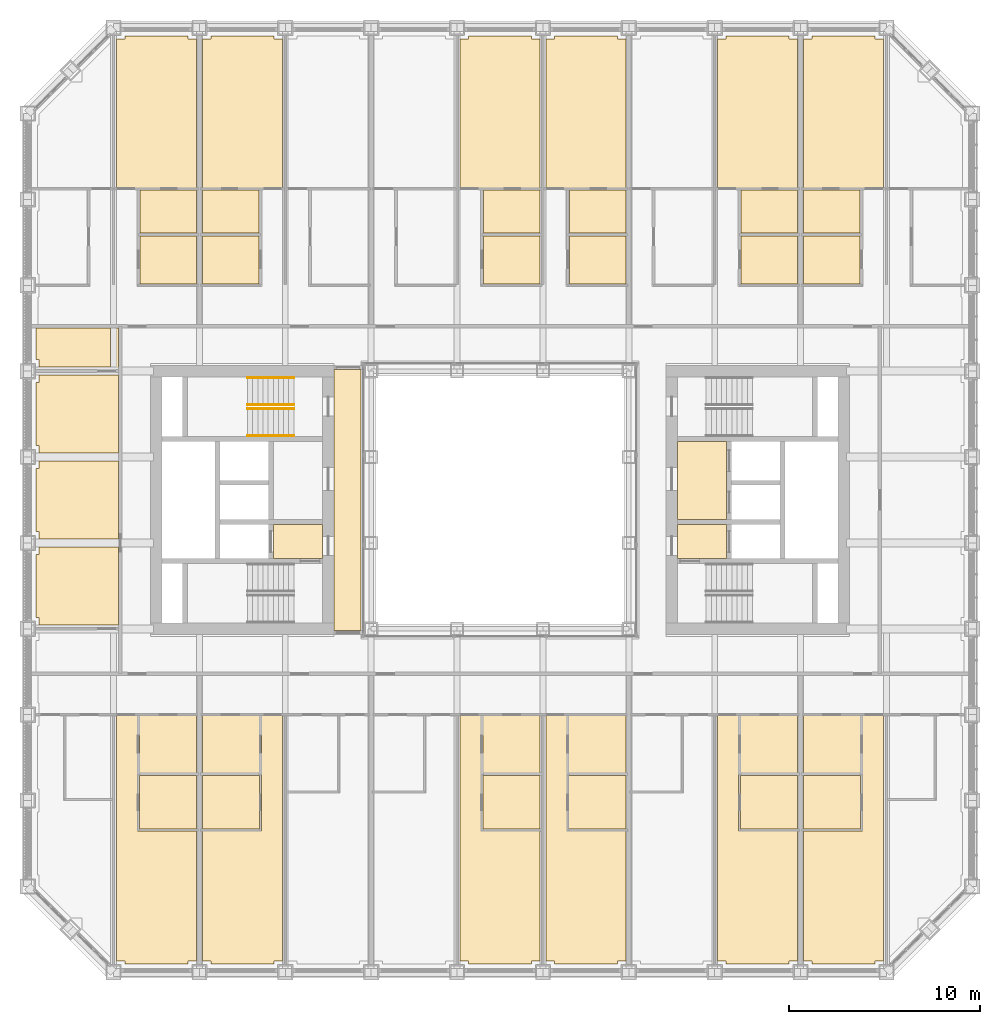
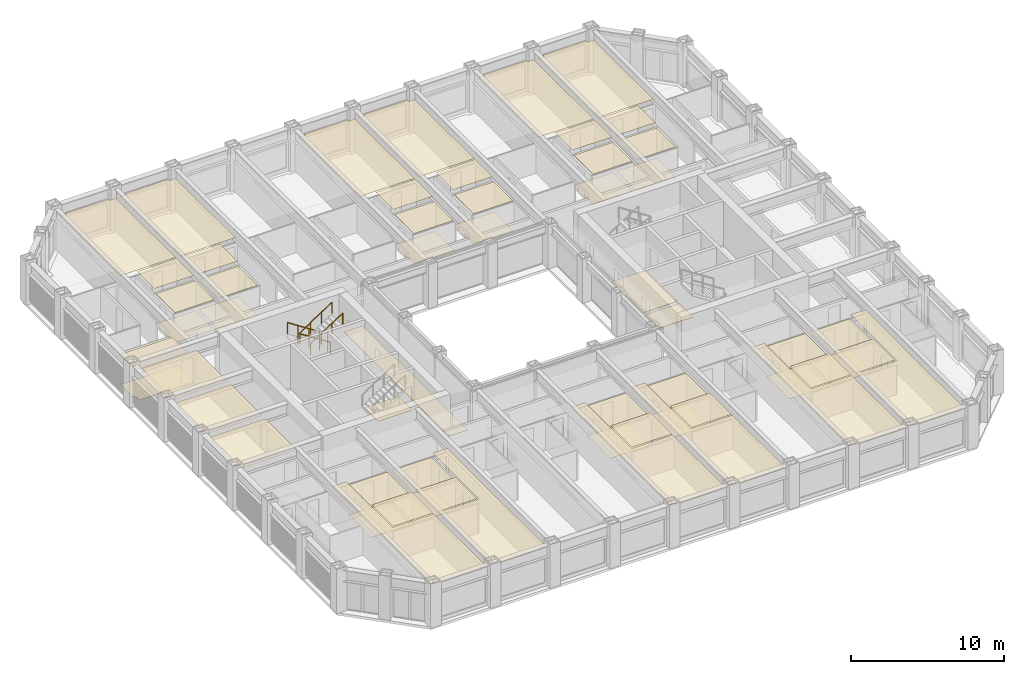
# One storey, part 18 of 21: 4 coverings, 4 railings.
"""IFC4 building model written with IfcOpenShell, lengths in metres."""

from ifc_helpers import new_model, si_unit, direction, frame, origin, origin_2d, place, context, subcontext, project, spatial, line, indexed_curve, circle, outline, extrude, material, layer, layer_set, type_object, element, save


model = new_model("IFC4")

# Units and contexts
model_context = context("Model", 3, precision=1e-05, world=origin(), true_north=direction((0.0, 1.0)))
body_context = subcontext(model_context, "Body", "Model", "MODEL_VIEW")
ifc_project = project(units=[si_unit("LENGTHUNIT", "METRE"), si_unit("AREAUNIT", "SQUARE_METRE"), si_unit("VOLUMEUNIT", "CUBIC_METRE"), si_unit("PLANEANGLEUNIT", "RADIAN"), si_unit("MASSUNIT", "GRAM", prefix="KILO")], contexts=[model_context])

# Site, building, storey
site_placement = place(None, origin())
site = spatial("IfcSite", under=ifc_project, at=site_placement, CompositionType="ELEMENT")
building_placement = place(site_placement, origin())
building = spatial("IfcBuilding", under=site, at=building_placement, Name="Msasa Ring Tower", CompositionType="ELEMENT")
storey_placement = place(building_placement, frame((0.0, 0.0, 54.5)))
storey = spatial("IfcBuildingStorey", under=building, at=storey_placement, Name="L13", CompositionType="ELEMENT", Elevation=54.5)

# Coverings
ifc_material_1 = material(Name="Gypsum plasterboard on a steel suspension grid", Category="steel")
ifc_layer_1 = layer(ifc_material_1, 0.014892578125)
ifc_layer_set_1 = layer_set([ifc_layer_1], Name="C1 SUSPENDED PLASTERBOARD CEILING 15")
covering_type_1 = type_object("IfcCoveringType", Name="C1 SUSPENDED PLASTERBOARD CEILING 15", PredefinedType="CEILING", material=ifc_layer_set_1)
covering_1_placement = place(storey_placement, frame((0.0, 0.0, 2.699951171875)))
element("IfcCovering", 1, at=covering_1_placement, inside=storey, type_object=covering_type_1, Name="Suspended Plasterboard Ceiling 15 L13", PredefinedType="CEILING", context=body_context, shape_type="SweptSolid", body=[
    extrude(outline(indexed_curve([(-20.00048828125, -6.539306640625), (-24.1494140625, -6.539306640625), (-24.1494140625, -6.1494140625), (-24.299560546875, -6.1494140625), (-24.299560546875, -2.8505859375), (-24.1494140625, -2.8505859375), (-24.1494140625, -2.460693359375), (-20.00048828125, -2.460693359375)], segments=[line(1, 2, 3, 4, 5, 6, 7, 8, 1)], self_intersect=False)), origin(), (0.0, 0.0, 1.0), 0.01513671875),
    extrude(outline(indexed_curve([(-20.00048828125, -2.039306640625), (-24.1494140625, -2.039306640625), (-24.1494140625, -1.6494140625), (-24.299560546875, -1.6494140625), (-24.299560546875, 1.6494140625), (-24.1494140625, 1.6494140625), (-24.1494140625, 2.039306640625), (-20.00048828125, 2.039306640625)], segments=[line(1, 2, 3, 4, 5, 6, 7, 8, 1)], self_intersect=False)), origin(), (0.0, 0.0, 1.0), 0.01513671875),
    extrude(outline(indexed_curve([(-20.00048828125, 2.460693359375), (-24.1494140625, 2.460693359375), (-24.1494140625, 2.8505859375), (-24.299560546875, 2.8505859375), (-24.299560546875, 6.1494140625), (-24.1494140625, 6.1494140625), (-24.1494140625, 6.539306640625), (-20.00048828125, 6.539306640625)], segments=[line(1, 2, 3, 4, 5, 6, 7, 8, 1)], self_intersect=False)), origin(), (0.0, 0.0, 1.0), 0.01513671875),
    extrude(outline(indexed_curve([(-19.6494140625, -24.299560546875), (-19.6494140625, -24.1494140625), (-20.095703125, -24.1494140625), (-20.095703125, -11.300537109375), (-19.00048828125, -11.300537109375), (-19.00048828125, -17.34130859375), (-15.904296875, -17.34130859375), (-15.904296875, -24.1494140625), (-16.3505859375, -24.1494140625), (-16.3505859375, -24.299560546875)], segments=[line(1, 2, 3, 4, 5, 6, 7, 8, 9, 10, 1)], self_intersect=False)), origin(), (0.0, 0.0, 1.0), 0.01513671875),
    extrude(outline(indexed_curve([(-20.095703125, 16.35546875), (-20.095703125, 24.1494140625), (-19.6494140625, 24.1494140625), (-19.6494140625, 24.299560546875), (-16.3505859375, 24.299560546875), (-16.3505859375, 24.1494140625), (-15.904296875, 24.1494140625), (-15.904296875, 16.35546875)], segments=[line(1, 2, 3, 4, 5, 6, 7, 8, 1)], self_intersect=False)), origin(), (0.0, 0.0, 1.0), 0.01513671875),
    extrude(outline(indexed_curve([(-15.904296875, -14.430419921875), (-15.904296875, -17.2353515625), (-18.8994140625, -17.2353515625), (-18.8994140625, -14.430419921875)], segments=[line(1, 2, 3, 4, 1)], self_intersect=False)), origin(), (0.0, 0.0, 1.0), 0.01513671875),
    extrude(outline(indexed_curve([(-15.904296875, 16.244384765625), (-15.904296875, 13.98046875), (-18.869384765625, 13.98046875), (-18.869384765625, 16.244384765625)], segments=[line(1, 2, 3, 4, 1)], self_intersect=False)), origin(), (0.0, 0.0, 1.0), 0.01513671875),
    extrude(outline(indexed_curve([(-15.1494140625, -24.299560546875), (-15.1494140625, -24.1494140625), (-15.595703125, -24.1494140625), (-15.595703125, -17.343994140625), (-12.49951171875, -17.343994140625), (-12.49951171875, -11.300537109375), (-11.404296875, -11.300537109375), (-11.404296875, -24.1494140625), (-11.8505859375, -24.1494140625), (-11.8505859375, -24.299560546875)], segments=[line(1, 2, 3, 4, 5, 6, 7, 8, 9, 10, 1)], self_intersect=False)), origin(), (0.0, 0.0, 1.0), 0.01513671875),
    extrude(outline(indexed_curve([(-12.6005859375, -14.430419921875), (-12.6005859375, -17.238037109375), (-15.595703125, -17.238037109375), (-15.595703125, -14.430419921875)], segments=[line(1, 2, 3, 4, 1)], self_intersect=False)), origin(), (0.0, 0.0, 1.0), 0.01513671875),
    extrude(outline(indexed_curve([(-12.630615234375, 16.244384765625), (-12.630615234375, 13.98046875), (-15.595703125, 13.98046875), (-15.595703125, 16.244384765625)], segments=[line(1, 2, 3, 4, 1)], self_intersect=False)), origin(), (0.0, 0.0, 1.0), 0.01513671875),
    extrude(outline(indexed_curve([(-11.8505859375, 24.299560546875), (-11.8505859375, 24.1494140625), (-11.404296875, 24.1494140625), (-11.404296875, 16.35546875), (-15.595703125, 16.35546875), (-15.595703125, 24.1494140625), (-15.1494140625, 24.1494140625), (-15.1494140625, 24.299560546875)], segments=[line(1, 2, 3, 4, 5, 6, 7, 8, 1)], self_intersect=False)), origin(), (0.0, 0.0, 1.0), 0.01513671875),
    extrude(outline(indexed_curve([(-1.00048828125, -11.300537109375), (-1.00048828125, -17.343994140625), (2.095703125, -17.343994140625), (2.095703125, -24.1494140625), (1.6494140625, -24.1494140625), (1.6494140625, -24.299560546875), (-1.6494140625, -24.299560546875), (-1.6494140625, -24.1494140625), (-2.095703125, -24.1494140625), (-2.095703125, -11.300537109375)], segments=[line(1, 2, 3, 4, 5, 6, 7, 8, 9, 10, 1)], self_intersect=False)), origin(), (0.0, 0.0, 1.0), 0.01513671875),
    extrude(outline(indexed_curve([(-2.095703125, 16.35546875), (-2.095703125, 24.1494140625), (-1.6494140625, 24.1494140625), (-1.6494140625, 24.299560546875), (1.6494140625, 24.299560546875), (1.6494140625, 24.1494140625), (2.095703125, 24.1494140625), (2.095703125, 16.35546875)], segments=[line(1, 2, 3, 4, 5, 6, 7, 8, 1)], self_intersect=False)), origin(), (0.0, 0.0, 1.0), 0.01513671875),
    extrude(outline(indexed_curve([(2.095703125, -14.430419921875), (2.095703125, -17.238037109375), (-0.8994140625, -17.238037109375), (-0.8994140625, -14.430419921875)], segments=[line(1, 2, 3, 4, 1)], self_intersect=False)), origin(), (0.0, 0.0, 1.0), 0.01513671875),
    extrude(outline(indexed_curve([(-0.869384765625, 16.244384765625), (2.095703125, 16.244384765625), (2.095703125, 13.98046875), (-0.869384765625, 13.98046875)], segments=[line(1, 2, 3, 4, 1)], self_intersect=False)), origin(), (0.0, 0.0, 1.0), 0.01513671875),
    extrude(outline(indexed_curve([(3.49951171875, -11.300537109375), (3.49951171875, -17.343994140625), (6.595703125, -17.343994140625), (6.595703125, -24.1494140625), (6.1494140625, -24.1494140625), (6.1494140625, -24.299560546875), (2.8505859375, -24.299560546875), (2.8505859375, -24.1494140625), (2.404296875, -24.1494140625), (2.404296875, -11.300537109375)], segments=[line(1, 2, 3, 4, 5, 6, 7, 8, 9, 10, 1)], self_intersect=False)), origin(), (0.0, 0.0, 1.0), 0.01513671875),
    extrude(outline(indexed_curve([(6.1494140625, 24.299560546875), (6.1494140625, 24.1494140625), (6.595703125, 24.1494140625), (6.595703125, 16.35546875), (2.404296875, 16.35546875), (2.404296875, 24.1494140625), (2.8505859375, 24.1494140625), (2.8505859375, 24.299560546875)], segments=[line(1, 2, 3, 4, 5, 6, 7, 8, 1)], self_intersect=False)), origin(), (0.0, 0.0, 1.0), 0.01513671875),
    extrude(outline(indexed_curve([(6.595703125, -14.430419921875), (6.595703125, -17.238037109375), (3.6005859375, -17.238037109375), (3.6005859375, -14.430419921875)], segments=[line(1, 2, 3, 4, 1)], self_intersect=False)), origin(), (0.0, 0.0, 1.0), 0.01513671875),
    extrude(outline(indexed_curve([(6.595703125, 16.244384765625), (6.595703125, 13.98046875), (3.630615234375, 13.98046875), (3.630615234375, 16.244384765625)], segments=[line(1, 2, 3, 4, 1)], self_intersect=False)), origin(), (0.0, 0.0, 1.0), 0.01513671875),
    extrude(outline(indexed_curve([(12.49951171875, -11.300537109375), (12.49951171875, -17.343994140625), (15.595703125, -17.343994140625), (15.595703125, -24.1494140625), (15.1494140625, -24.1494140625), (15.1494140625, -24.299560546875), (11.8505859375, -24.299560546875), (11.8505859375, -24.1494140625), (11.404296875, -24.1494140625), (11.404296875, -11.300537109375)], segments=[line(1, 2, 3, 4, 5, 6, 7, 8, 9, 10, 1)], self_intersect=False)), origin(), (0.0, 0.0, 1.0), 0.01513671875),
    extrude(outline(indexed_curve([(15.1494140625, 24.299560546875), (15.1494140625, 24.1494140625), (15.595703125, 24.1494140625), (15.595703125, 16.35546875), (11.404296875, 16.35546875), (11.404296875, 24.1494140625), (11.8505859375, 24.1494140625), (11.8505859375, 24.299560546875)], segments=[line(1, 2, 3, 4, 5, 6, 7, 8, 1)], self_intersect=False)), origin(), (0.0, 0.0, 1.0), 0.01513671875),
    extrude(outline(indexed_curve([(15.595703125, -14.430419921875), (15.595703125, -17.238037109375), (12.6005859375, -17.238037109375), (12.6005859375, -14.430419921875)], segments=[line(1, 2, 3, 4, 1)], self_intersect=False)), origin(), (0.0, 0.0, 1.0), 0.01513671875),
    extrude(outline(indexed_curve([(15.595703125, 16.244384765625), (15.595703125, 13.98046875), (12.630615234375, 13.98046875), (12.630615234375, 16.244384765625)], segments=[line(1, 2, 3, 4, 1)], self_intersect=False)), origin(), (0.0, 0.0, 1.0), 0.01513671875),
    extrude(outline(indexed_curve([(19.00048828125, -11.300537109375), (20.095703125, -11.300537109375), (20.095703125, -24.1494140625), (19.6494140625, -24.1494140625), (19.6494140625, -24.299560546875), (16.3505859375, -24.299560546875), (16.3505859375, -24.1494140625), (15.904296875, -24.1494140625), (15.904296875, -17.34130859375), (19.00048828125, -17.34130859375)], segments=[line(1, 2, 3, 4, 5, 6, 7, 8, 9, 10, 1)], self_intersect=False)), origin(), (0.0, 0.0, 1.0), 0.01513671875),
    extrude(outline(indexed_curve([(18.8994140625, -14.430419921875), (18.8994140625, -17.2353515625), (15.904296875, -17.2353515625), (15.904296875, -14.430419921875)], segments=[line(1, 2, 3, 4, 1)], self_intersect=False)), origin(), (0.0, 0.0, 1.0), 0.01513671875),
    extrude(outline(indexed_curve([(18.869384765625, 16.244384765625), (18.869384765625, 13.98046875), (15.904296875, 13.98046875), (15.904296875, 16.244384765625)], segments=[line(1, 2, 3, 4, 1)], self_intersect=False)), origin(), (0.0, 0.0, 1.0), 0.01513671875),
    extrude(outline(indexed_curve([(15.904296875, 16.35546875), (15.904296875, 24.1494140625), (16.3505859375, 24.1494140625), (16.3505859375, 24.299560546875), (19.6494140625, 24.299560546875), (19.6494140625, 24.1494140625), (20.095703125, 24.1494140625), (20.095703125, 16.35546875)], segments=[line(1, 2, 3, 4, 5, 6, 7, 8, 1)], self_intersect=False)), origin(), (0.0, 0.0, 1.0), 0.01513671875),
])
ifc_material_2 = material(Name="Moisture-resistant gypsum plasterboard on a steel suspension grid", Category="steel")
ifc_layer_2 = layer(ifc_material_2, 0.014892578125)
ifc_layer_set_2 = layer_set([ifc_layer_2], Name="C2 MOISTURE-RESISTANT PLASTERBOARD CEILING 15")
covering_type_2 = type_object("IfcCoveringType", Name="C2 MOISTURE-RESISTANT PLASTERBOARD CEILING 15", PredefinedType="CEILING", material=ifc_layer_set_2)
covering_2_placement = place(storey_placement, frame((0.0, 0.0, 2.39990234375)))
element("IfcCovering", 2, at=covering_2_placement, inside=storey, type_object=covering_type_2, Name="Moisture-Resistant Plasterboard Ceiling 15 L13", PredefinedType="CEILING", context=body_context, shape_type="SweptSolid", body=[
    extrude(outline(indexed_curve([(-20.404296875, 8.99951171875), (-20.404296875, 6.960693359375), (-24.1494140625, 6.960693359375), (-24.1494140625, 7.3505859375), (-24.299560546875, 7.3505859375), (-24.299560546875, 8.99951171875)], segments=[line(1, 2, 3, 4, 5, 6, 1)], self_intersect=False)), origin(), (0.0, 0.0, 1.0), 0.01513671875),
    extrude(outline(indexed_curve([(-18.8994140625, -14.299560546875), (-18.8994140625, -11.300537109375), (-15.904296875, -11.300537109375), (-15.904296875, -14.299560546875)], segments=[line(1, 2, 3, 4, 1)], self_intersect=False)), origin(), (0.0, 0.0, 1.0), 0.01513671875),
    extrude(outline(indexed_curve([(-18.869384765625, 13.819580078125), (-15.904296875, 13.819580078125), (-15.904296875, 11.305419921875), (-18.869384765625, 11.305419921875)], segments=[line(1, 2, 3, 4, 1)], self_intersect=False)), origin(), (0.0, 0.0, 1.0), 0.01513671875),
    extrude(outline(indexed_curve([(-12.6005859375, -11.300537109375), (-12.6005859375, -14.299560546875), (-15.595703125, -14.299560546875), (-15.595703125, -11.300537109375)], segments=[line(1, 2, 3, 4, 1)], self_intersect=False)), origin(), (0.0, 0.0, 1.0), 0.01513671875),
    extrude(outline(indexed_curve([(-12.630615234375, 13.819580078125), (-12.630615234375, 11.305419921875), (-15.595703125, 11.305419921875), (-15.595703125, 13.819580078125)], segments=[line(1, 2, 3, 4, 1)], self_intersect=False)), origin(), (0.0, 0.0, 1.0), 0.01513671875),
    extrude(outline(indexed_curve([(-0.8994140625, -11.300537109375), (2.095703125, -11.300537109375), (2.095703125, -14.299560546875), (-0.8994140625, -14.299560546875)], segments=[line(1, 2, 3, 4, 1)], self_intersect=False)), origin(), (0.0, 0.0, 1.0), 0.01513671875),
    extrude(outline(indexed_curve([(-0.869384765625, 11.305419921875), (-0.869384765625, 13.819580078125), (2.095703125, 13.819580078125), (2.095703125, 11.305419921875)], segments=[line(1, 2, 3, 4, 1)], self_intersect=False)), origin(), (0.0, 0.0, 1.0), 0.01513671875),
    extrude(outline(indexed_curve([(3.6005859375, -11.300537109375), (6.595703125, -11.300537109375), (6.595703125, -14.299560546875), (3.6005859375, -14.299560546875)], segments=[line(1, 2, 3, 4, 1)], self_intersect=False)), origin(), (0.0, 0.0, 1.0), 0.01513671875),
    extrude(outline(indexed_curve([(3.630615234375, 13.819580078125), (6.595703125, 13.819580078125), (6.595703125, 11.305419921875), (3.630615234375, 11.305419921875)], segments=[line(1, 2, 3, 4, 1)], self_intersect=False)), origin(), (0.0, 0.0, 1.0), 0.01513671875),
    extrude(outline(indexed_curve([(12.6005859375, -11.300537109375), (15.595703125, -11.300537109375), (15.595703125, -14.299560546875), (12.6005859375, -14.299560546875)], segments=[line(1, 2, 3, 4, 1)], self_intersect=False)), origin(), (0.0, 0.0, 1.0), 0.01513671875),
    extrude(outline(indexed_curve([(12.630615234375, 13.819580078125), (15.595703125, 13.819580078125), (15.595703125, 11.305419921875), (12.630615234375, 11.305419921875)], segments=[line(1, 2, 3, 4, 1)], self_intersect=False)), origin(), (0.0, 0.0, 1.0), 0.01513671875),
    extrude(outline(indexed_curve([(18.8994140625, -11.300537109375), (18.8994140625, -14.299560546875), (15.904296875, -14.299560546875), (15.904296875, -11.300537109375)], segments=[line(1, 2, 3, 4, 1)], self_intersect=False)), origin(), (0.0, 0.0, 1.0), 0.01513671875),
    extrude(outline(indexed_curve([(18.869384765625, 13.819580078125), (18.869384765625, 11.305419921875), (15.904296875, 11.305419921875), (15.904296875, 13.819580078125)], segments=[line(1, 2, 3, 4, 1)], self_intersect=False)), origin(), (0.0, 0.0, 1.0), 0.01513671875),
])
ifc_material_3 = material(Name="Honed granite tiles on a mortar bed", Category="masonry")
ifc_layer_3 = layer(ifc_material_3, 0.030029296875)
ifc_layer_set_3 = layer_set([ifc_layer_3], Name="F1 HONED GRANITE ON BEDDING 30")
covering_type_3 = type_object("IfcCoveringType", Name="F1 HONED GRANITE ON BEDDING 30", PredefinedType="FLOORING", material=ifc_layer_set_3)
covering_3_placement = place(storey_placement, origin())
element("IfcCovering", 3, at=covering_3_placement, inside=storey, type_object=covering_type_3, Name="Honed Granite On Bedding 30 L13", PredefinedType="FLOORING", context=body_context, shape_type="SweptSolid", body=[
    extrude(outline(indexed_curve([(-11.87451171875, -3.074462890625), (-11.87451171875, -1.275390625), (-9.300537109375, -1.275390625), (-9.300537109375, -3.074462890625)], segments=[line(1, 2, 3, 4, 1)], self_intersect=False)), origin(), (0.0, 0.0, 1.0), 0.030029296875),
    extrude(outline(indexed_curve([(-8.699462890625, -6.849609375), (-8.699462890625, 6.849609375), (-7.280029296875, 6.849609375), (-7.280029296875, -6.849609375)], segments=[line(1, 2, 3, 4, 1)], self_intersect=False)), origin(), (0.0, 0.0, 1.0), 0.030029296875),
    extrude(outline(indexed_curve([(9.300537109375, -3.074462890625), (9.300537109375, -1.275390625), (11.87451171875, -1.275390625), (11.87451171875, -3.074462890625)], segments=[line(1, 2, 3, 4, 1)], self_intersect=False)), origin(), (0.0, 0.0, 1.0), 0.030029296875),
    extrude(outline(indexed_curve([(9.300537109375, -1.0244140625), (9.300537109375, 3.074462890625), (11.87451171875, 3.074462890625), (11.87451171875, -1.0244140625)], segments=[line(1, 2, 3, 4, 1)], self_intersect=False)), origin(), (0.0, 0.0, 1.0), 0.030029296875),
])
ifc_material_4 = material(Name="Porcelain floor tiles in adhesive", Category="ceramic")
ifc_layer_4 = layer(ifc_material_4, 0.010009765625)
ifc_layer_set_4 = layer_set([ifc_layer_4], Name="F4 PORCELAIN TILE ON ADHESIVE 10")
covering_type_4 = type_object("IfcCoveringType", Name="F4 PORCELAIN TILE ON ADHESIVE 10", PredefinedType="FLOORING", material=ifc_layer_set_4)
covering_4_placement = place(storey_placement, origin())
element("IfcCovering", 4, at=covering_4_placement, inside=storey, type_object=covering_type_4, Name="Porcelain Tile On Adhesive 10 L13", PredefinedType="FLOORING", context=body_context, shape_type="SweptSolid", body=[
    extrude(outline(indexed_curve([(-20.00048828125, 6.83056640625), (-24.1494140625, 6.83056640625), (-24.1494140625, 7.3505859375), (-24.299560546875, 7.3505859375), (-24.299560546875, 8.99951171875), (-20.00048828125, 8.99951171875)], segments=[line(1, 2, 3, 4, 5, 6, 1)], self_intersect=False)), origin(), (0.0, 0.0, 1.0), 0.010009765625),
    extrude(outline(indexed_curve([(-15.87548828125, -11.300537109375), (-15.87548828125, -14.2744140625), (-18.87451171875, -14.2744140625), (-18.87451171875, -11.300537109375)], segments=[line(1, 2, 3, 4, 1)], self_intersect=False)), origin(), (0.0, 0.0, 1.0), 0.010009765625),
    extrude(outline(indexed_curve([(-15.87548828125, 13.819580078125), (-15.87548828125, 11.305419921875), (-18.869384765625, 11.305419921875), (-18.869384765625, 13.819580078125)], segments=[line(1, 2, 3, 4, 1)], self_intersect=False)), origin(), (0.0, 0.0, 1.0), 0.010009765625),
    extrude(outline(indexed_curve([(-12.62548828125, -11.300537109375), (-12.62548828125, -14.2744140625), (-15.62451171875, -14.2744140625), (-15.62451171875, -11.300537109375)], segments=[line(1, 2, 3, 4, 1)], self_intersect=False)), origin(), (0.0, 0.0, 1.0), 0.010009765625),
    extrude(outline(indexed_curve([(-12.630615234375, 13.819580078125), (-12.630615234375, 11.305419921875), (-15.62451171875, 11.305419921875), (-15.62451171875, 13.819580078125)], segments=[line(1, 2, 3, 4, 1)], self_intersect=False)), origin(), (0.0, 0.0, 1.0), 0.010009765625),
    extrude(outline(indexed_curve([(2.189453125, -11.300537109375), (2.189453125, -14.2744140625), (-0.87451171875, -14.2744140625), (-0.87451171875, -11.300537109375)], segments=[line(1, 2, 3, 4, 1)], self_intersect=False)), origin(), (0.0, 0.0, 1.0), 0.010009765625),
    extrude(outline(indexed_curve([(-0.869384765625, 13.819580078125), (2.189453125, 13.819580078125), (2.189453125, 11.305419921875), (-0.869384765625, 11.305419921875)], segments=[line(1, 2, 3, 4, 1)], self_intersect=False)), origin(), (0.0, 0.0, 1.0), 0.010009765625),
    extrude(outline(indexed_curve([(6.62451171875, -11.300537109375), (6.62451171875, -14.2744140625), (3.62548828125, -14.2744140625), (3.62548828125, -11.300537109375)], segments=[line(1, 2, 3, 4, 1)], self_intersect=False)), origin(), (0.0, 0.0, 1.0), 0.010009765625),
    extrude(outline(indexed_curve([(6.62451171875, 13.819580078125), (6.62451171875, 11.305419921875), (3.630615234375, 11.305419921875), (3.630615234375, 13.819580078125)], segments=[line(1, 2, 3, 4, 1)], self_intersect=False)), origin(), (0.0, 0.0, 1.0), 0.010009765625),
    extrude(outline(indexed_curve([(15.62451171875, -11.300537109375), (15.62451171875, -14.2744140625), (12.62548828125, -14.2744140625), (12.62548828125, -11.300537109375)], segments=[line(1, 2, 3, 4, 1)], self_intersect=False)), origin(), (0.0, 0.0, 1.0), 0.010009765625),
    extrude(outline(indexed_curve([(15.62451171875, 13.819580078125), (15.62451171875, 11.305419921875), (12.630615234375, 11.305419921875), (12.630615234375, 13.819580078125)], segments=[line(1, 2, 3, 4, 1)], self_intersect=False)), origin(), (0.0, 0.0, 1.0), 0.010009765625),
    extrude(outline(indexed_curve([(18.87451171875, -11.300537109375), (18.87451171875, -14.2744140625), (15.87548828125, -14.2744140625), (15.87548828125, -11.300537109375)], segments=[line(1, 2, 3, 4, 1)], self_intersect=False)), origin(), (0.0, 0.0, 1.0), 0.010009765625),
    extrude(outline(indexed_curve([(18.869384765625, 13.819580078125), (18.869384765625, 11.305419921875), (15.87548828125, 11.305419921875), (15.87548828125, 13.819580078125)], segments=[line(1, 2, 3, 4, 1)], self_intersect=False)), origin(), (0.0, 0.0, 1.0), 0.010009765625),
])

# Railings
ifc_material_5 = material(Name="Stainless steel", Category="steel")
railing_type = type_object("IfcRailingType", Name="HR1 HANDRAIL 900", PredefinedType="HANDRAIL", material=ifc_material_5)
for number, where, name in (
    (5, (-10.800048828125, 5.0, 0.175048828125), "Handrail stair SWB L13 1"),
    (6, (-10.800048828125, 6.39990234375, 0.175048828125), "Handrail stair SWB L13 2"),
):
    element("IfcRailing", number, at=place(storey_placement, frame(where)), inside=storey, type_object=railing_type, Name=name, PredefinedType="HANDRAIL", context=body_context, shape_type="SweptSolid", body=[
        extrude(circle(Radius=0.02392578125, at=origin_2d()), frame((0.0, 0.0, 0.8759765625), z_axis=(-0.839153699163, 0.0, 0.543894354798), x_axis=(0.0, -1.0, 0.0)), (0.0, 0.0, 1.0), 2.895751953125),
        extrude(circle(Radius=0.02099609375, at=origin_2d()), origin(), (0.0, 0.0, 1.0), 0.851806640625),
        extrude(circle(Radius=0.02099609375, at=origin_2d()), frame((-0.81005859375, 0.0, 0.52490234375)), (0.0, 0.0, 1.0), 0.851806640625),
        extrude(circle(Radius=0.02099609375, at=origin_2d()), frame((-1.619873046875, 0.0, 1.050048828125)), (0.0, 0.0, 1.0), 0.851806640625),
        extrude(circle(Radius=0.02099609375, at=origin_2d()), frame((-2.429931640625, 0.0, 1.574951171875)), (0.0, 0.0, 1.0), 0.851806640625),
    ])
for number, where, name in (
    (7, (-13.22998046875, 3.375, 1.925048828125), "Handrail stair SWB L13 3"),
    (8, (-13.22998046875, 4.77490234375, 1.925048828125), "Handrail stair SWB L13 4"),
):
    element("IfcRailing", number, at=place(storey_placement, frame(where)), inside=storey, type_object=railing_type, Name=name, PredefinedType="HANDRAIL", context=body_context, shape_type="SweptSolid", body=[
        extrude(circle(Radius=0.02392578125, at=origin_2d()), frame((0.0, 0.0, 0.8759765625), z_axis=(0.839153699163, 0.0, 0.543894354798), x_axis=(0.0, 1.0, 0.0)), (0.0, 0.0, 1.0), 2.895751953125),
        extrude(circle(Radius=0.02099609375, at=origin_2d()), origin(), (0.0, 0.0, 1.0), 0.851806640625),
        extrude(circle(Radius=0.02099609375, at=origin_2d()), frame((0.81005859375, 0.0, 0.52490234375)), (0.0, 0.0, 1.0), 0.851806640625),
        extrude(circle(Radius=0.02099609375, at=origin_2d()), frame((1.619873046875, 0.0, 1.050048828125)), (0.0, 0.0, 1.0), 0.851806640625),
        extrude(circle(Radius=0.02099609375, at=origin_2d()), frame((2.429931640625, 0.0, 1.574951171875)), (0.0, 0.0, 1.0), 0.851806640625),
    ])

save(model, "model.ifc")
